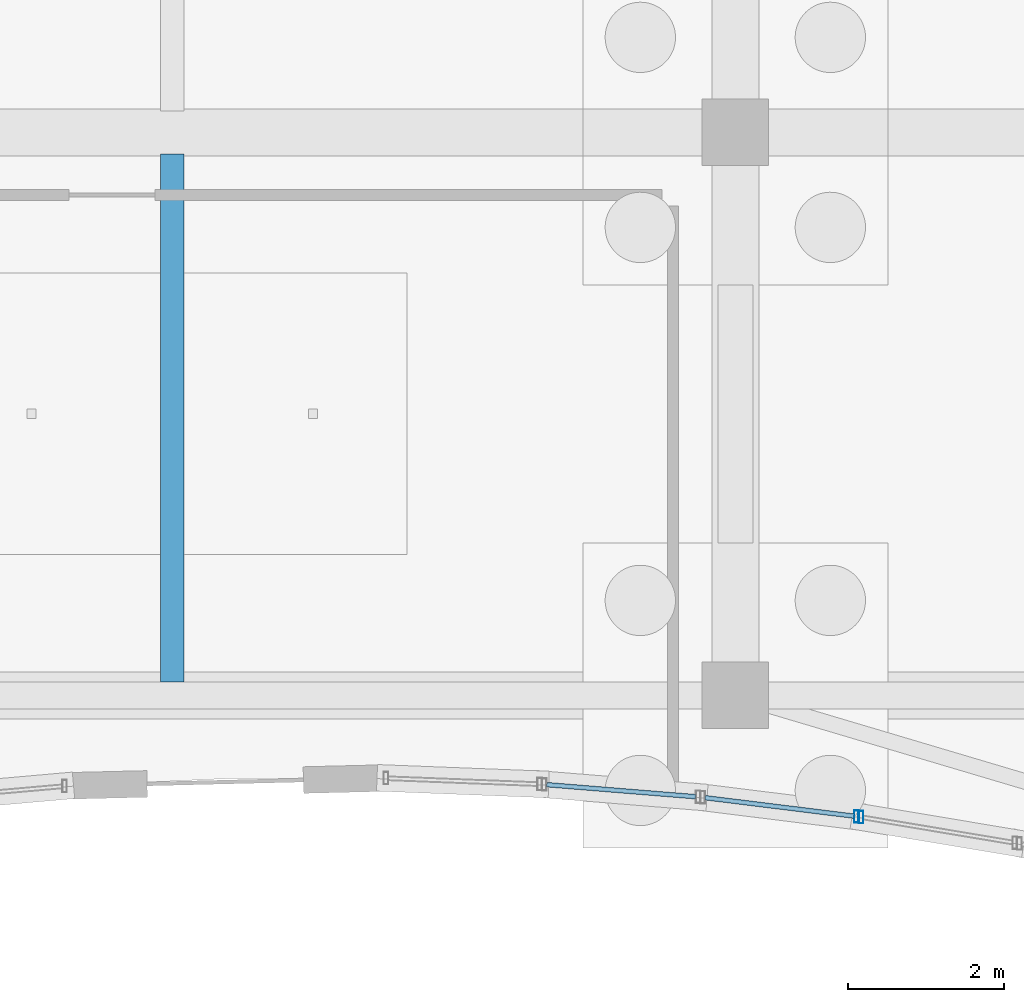
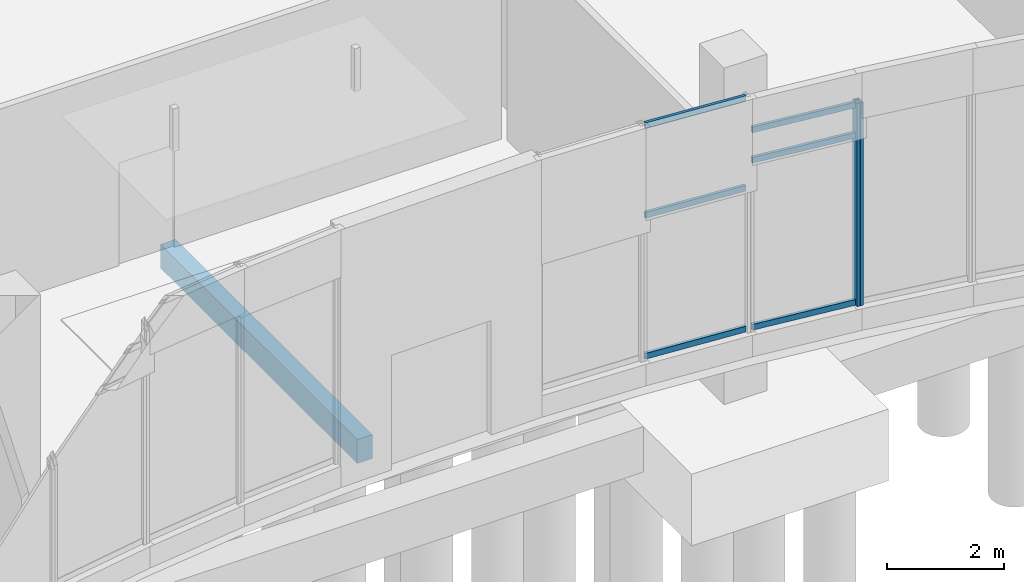
# One storey, part 25 of 192: 8 members, 1 beam, 3 elements without a shape of their own.
"""IFC4 building model written with IfcOpenShell, lengths in metres."""

from ifc_helpers import new_model, si_unit, direction, frame, origin, origin_2d, place, context, subcontext, project, spatial, rectangle, hollow_rectangle, extrude, material, material_profile, profile_set, type_object, element, aggregate, save


model = new_model("IFC4")

# Units and contexts
model_context = context("Model", 3, precision=1e-05, world=origin(), true_north=direction((0.0, 1.0)))
body_context = subcontext(model_context, "Body", "Model", "MODEL_VIEW")
ifc_project = project(units=[si_unit("LENGTHUNIT", "METRE"), si_unit("AREAUNIT", "SQUARE_METRE"), si_unit("VOLUMEUNIT", "CUBIC_METRE"), si_unit("PLANEANGLEUNIT", "RADIAN"), si_unit("MASSUNIT", "GRAM", prefix="KILO")], contexts=[model_context])

# Site, building, storey
site_placement = place(None, origin())
site = spatial("IfcSite", under=ifc_project, at=site_placement, CompositionType="ELEMENT")
building_placement = place(site_placement, origin())
building = spatial("IfcBuilding", under=site, at=building_placement, Name="Cendralis Lancet Convention Centre", CompositionType="ELEMENT")
storey_placement = place(building_placement, origin())
storey = spatial("IfcBuildingStorey", under=building, at=storey_placement, Name="L00", CompositionType="ELEMENT", Elevation=0.0)

# Curtain wall, member
ifc_material_1 = material(Name="Anodised bronze architectural aluminium", Category="aluminium")
curtain_wall_type = type_object("IfcCurtainWallType", Name="ARC-CW-WF01", PredefinedType="USERDEFINED", material=ifc_material_1)
curtain_wall_1_placement = place(storey_placement, origin())
curtain_wall_1 = element("IfcCurtainWall", 1, at=curtain_wall_1_placement, inside=storey, type_object=curtain_wall_type, Name="L00 Curtain Wall CW-WF1 #013", ObjectType="CURTAIN WALL", PredefinedType="USERDEFINED")
ifc_material_profile_1 = material_profile(ifc_material_1, hollow_rectangle(XDim=0.06005859375, YDim=0.159912109375, WallThickness=0.00390625, at=origin_2d()), Name="AL-MULL 60x160x4.0")
ifc_profile_set_1 = profile_set([ifc_material_profile_1], Name="Anodised bronze architectural aluminium")
member_type_1 = type_object("IfcMemberType", Name="ARC-CW-ML01", PredefinedType="MULLION", material=ifc_profile_set_1)
member_1_placement = place(storey_placement, frame((30.34814453125, 5.652587890625, 0.449951171875), z_axis=(0.0, 0.0, 1.0), x_axis=(1.0, 0.0, 0.0)))
member_1 = element("IfcMember", 2, at=member_1_placement, type_object=member_type_1, Name="Mullion CW2-CW-WF1-L00-013-M1", PredefinedType="MULLION", context=body_context, shape_type="SweptSolid", body=[
    extrude(hollow_rectangle(XDim=0.06005859375, YDim=0.159912109375, WallThickness=0.00390625, at=origin_2d()), origin(), (0.0, 0.0, 1.0), 4.255126953125),
])

curtain_wall_2_placement = place(storey_placement, origin())
curtain_wall_2 = element("IfcCurtainWall", 3, at=curtain_wall_2_placement, inside=storey, type_object=curtain_wall_type, Name="L00 Curtain Wall CW-WF1 #014", ObjectType="CURTAIN WALL", PredefinedType="USERDEFINED")
member_2_placement = place(storey_placement, frame((30.40771484375, 5.64404296875, 0.449951171875), z_axis=(0.0, 0.0, 1.0), x_axis=(1.0, 0.0, 0.0)))
member_2 = element("IfcMember", 4, at=member_2_placement, type_object=member_type_1, Name="Mullion CW2-CW-WF1-L00-014-M0", PredefinedType="MULLION", context=body_context, shape_type="SweptSolid", body=[
    extrude(hollow_rectangle(XDim=0.06005859375, YDim=0.159912109375, WallThickness=0.00390625, at=origin_2d()), origin(), (0.0, 0.0, 1.0), 4.255126953125),
])
aggregate(curtain_wall_2, [member_2])

# Curtain wall, members
curtain_wall_3_placement = place(storey_placement, origin())
curtain_wall_3 = element("IfcCurtainWall", 5, at=curtain_wall_3_placement, inside=storey, type_object=curtain_wall_type, Name="L00 Curtain Wall CW-WF1 #012", ObjectType="CURTAIN WALL", PredefinedType="USERDEFINED")
ifc_material_profile_2 = material_profile(ifc_material_1, hollow_rectangle(XDim=0.06005859375, YDim=0.1201171875, WallThickness=0.00390625, at=origin_2d()), Name="AL-TRAN 60x120x4.0")
ifc_profile_set_2 = profile_set([ifc_material_profile_2], Name="Anodised bronze architectural aluminium")
member_type_2 = type_object("IfcMemberType", Name="ARC-CW-TR01", PredefinedType="USERDEFINED", material=ifc_profile_set_2)
member_3_placement = place(storey_placement, frame((26.3876953125, 6.05908203125, 0.510009765625), z_axis=(0.996737661145, -0.080709571024, 0.0), x_axis=(0.080709571024, 0.996737661145, 0.0)))
member_3 = element("IfcMember", 6, at=member_3_placement, type_object=member_type_2, Name="Transom CW2-CW-WF1-L00-012-T0BOT", ObjectType="TRANSOM", PredefinedType="USERDEFINED", context=body_context, shape_type="SweptSolid", body=[
    extrude(hollow_rectangle(XDim=0.06005859375, YDim=0.1201171875, WallThickness=0.00390625, at=origin_2d()), origin(), (0.0, 0.0, 1.0), 1.911865234375),
])
member_4_placement = place(storey_placement, frame((26.3876953125, 6.05908203125, 3.4619140625), z_axis=(0.996737661145, -0.080709571024, 0.0), x_axis=(0.080709571024, 0.996737661145, 0.0)))
member_4 = element("IfcMember", 7, at=member_4_placement, type_object=member_type_2, Name="Transom CW2-CW-WF1-L00-012-T0MID", ObjectType="TRANSOM", PredefinedType="USERDEFINED", context=body_context, shape_type="SweptSolid", body=[
    extrude(hollow_rectangle(XDim=0.06005859375, YDim=0.1201171875, WallThickness=0.00390625, at=origin_2d()), origin(), (0.0, 0.0, 1.0), 1.911865234375),
])
member_5_placement = place(storey_placement, frame((26.3876953125, 6.05908203125, 5.340087890625), z_axis=(0.996737661145, -0.080709571024, 0.0), x_axis=(0.080709571024, 0.996737661145, 0.0)))
member_5 = element("IfcMember", 8, at=member_5_placement, type_object=member_type_2, Name="Transom CW2-CW-WF1-L00-012-T0TOP", ObjectType="TRANSOM", PredefinedType="USERDEFINED", context=body_context, shape_type="SweptSolid", body=[
    extrude(hollow_rectangle(XDim=0.06005859375, YDim=0.1201171875, WallThickness=0.00390625, at=origin_2d()), origin(), (0.0, 0.0, 1.0), 1.911865234375),
])
aggregate(curtain_wall_3, [member_3, member_4, member_5])

# Member
member_6_placement = place(storey_placement, frame((28.41259765625, 5.892578125, 0.510009765625), z_axis=(0.992416107741, -0.122923834531, 0.0), x_axis=(0.122923834531, 0.992416107741, 0.0)))
member_6 = element("IfcMember", 9, at=member_6_placement, type_object=member_type_2, Name="Transom CW2-CW-WF1-L00-013-T0BOT", ObjectType="TRANSOM", PredefinedType="USERDEFINED", context=body_context, shape_type="SweptSolid", body=[
    extrude(hollow_rectangle(XDim=0.06005859375, YDim=0.1201171875, WallThickness=0.00390625, at=origin_2d()), origin(), (0.0, 0.0, 1.0), 1.920654296875),
])

member_7_placement = place(storey_placement, frame((28.41259765625, 5.892578125, 4.008056640625), z_axis=(0.992416107741, -0.122923834531, 0.0), x_axis=(0.122923834531, 0.992416107741, 0.0)))
member_7 = element("IfcMember", 10, at=member_7_placement, type_object=member_type_2, Name="Transom CW2-CW-WF1-L00-013-T0MID", ObjectType="TRANSOM", PredefinedType="USERDEFINED", context=body_context, shape_type="SweptSolid", body=[
    extrude(hollow_rectangle(XDim=0.06005859375, YDim=0.1201171875, WallThickness=0.00390625, at=origin_2d()), origin(), (0.0, 0.0, 1.0), 1.920654296875),
])

member_8_placement = place(storey_placement, frame((28.41259765625, 5.892578125, 4.64501953125), z_axis=(0.992416107741, -0.122923834531, 0.0), x_axis=(0.122923834531, 0.992416107741, 0.0)))
member_8 = element("IfcMember", 11, at=member_8_placement, type_object=member_type_2, Name="Transom CW2-CW-WF1-L00-013-T0TOP", ObjectType="TRANSOM", PredefinedType="USERDEFINED", context=body_context, shape_type="SweptSolid", body=[
    extrude(hollow_rectangle(XDim=0.06005859375, YDim=0.1201171875, WallThickness=0.00390625, at=origin_2d()), origin(), (0.0, 0.0, 1.0), 1.920654296875),
])

aggregate(curtain_wall_1, [member_1, member_6, member_7, member_8])

# Beam
ifc_material_2 = material(Name="Concrete G35 (C35/45)", Category="concrete")
ifc_material_profile_3 = material_profile(ifc_material_2, rectangle(XDim=0.300048828125, YDim=0.5, at=origin_2d()), Name="RCB 300x500")
ifc_profile_set_3 = profile_set([ifc_material_profile_3], Name="Concrete G35 (C35/45)")
beam_type = type_object("IfcBeamType", Name="STR-JS-BJ03", PredefinedType="JOIST", material=ifc_profile_set_3)
beam_placement = place(storey_placement, frame((21.60009765625, 7.375, -0.570068359375), z_axis=(0.0, 1.0, 0.0), x_axis=(-1.0, 0.0, 0.0)))
element("IfcBeam", 12, at=beam_placement, inside=storey, type_object=beam_type, Name="L00 Beam BJ03 #0720", PredefinedType="JOIST", context=body_context, shape_type="SweptSolid", body=[
    extrude(rectangle(XDim=0.300048828125, YDim=0.5, at=origin_2d()), origin(), (0.0, 0.0, 1.0), 6.75),
])

save(model, "model.ifc")
